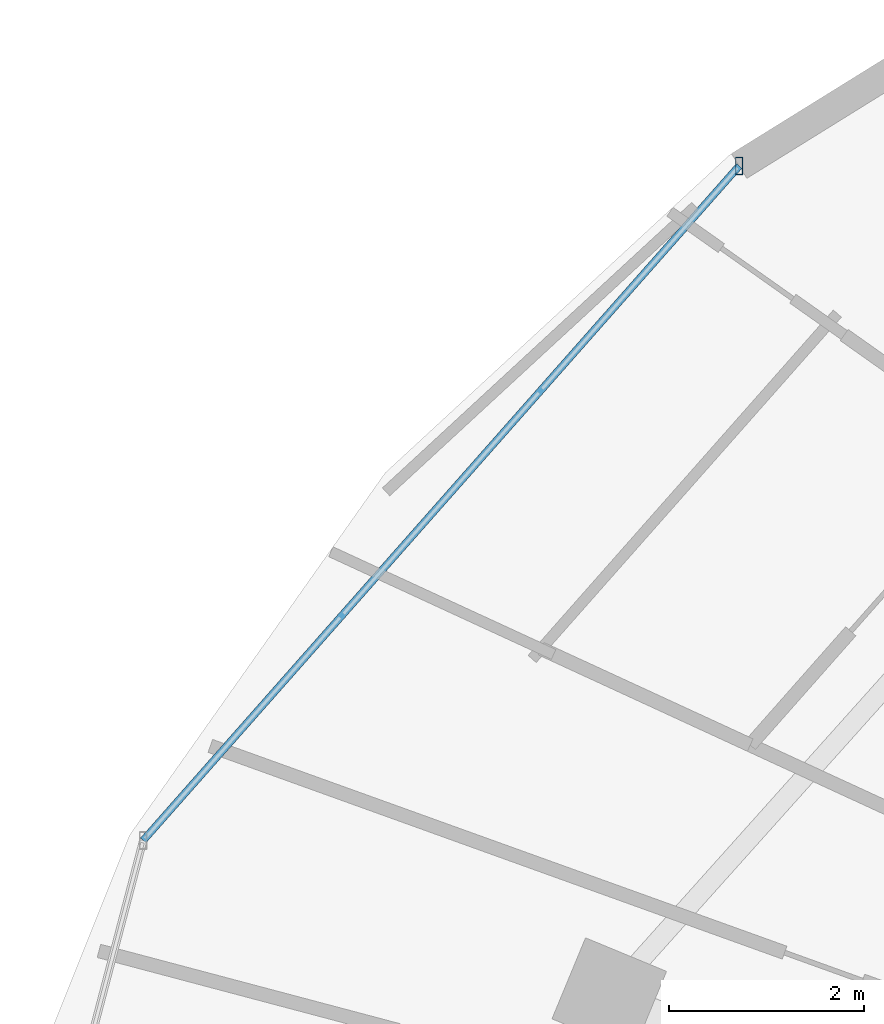
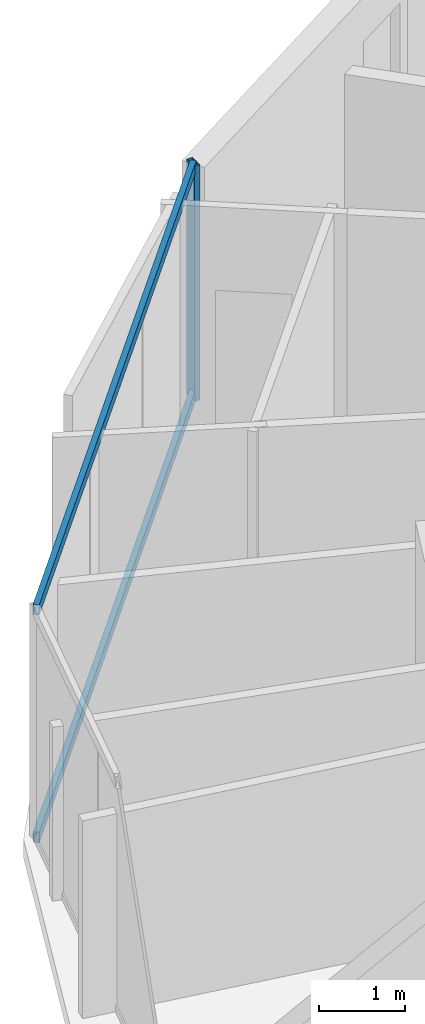
# One storey, part 16 of 32: 3 members, 1 element without a shape of its own.
"""IFC4 building model written with IfcOpenShell, lengths in metres."""

from ifc_helpers import new_model, si_unit, direction, frame, origin, origin_2d, place, context, subcontext, project, spatial, hollow_rectangle, extrude, material, material_profile, profile_set, type_object, element, aggregate, save


model = new_model("IFC4")

# Units and contexts
model_context = context("Model", 3, precision=1e-05, world=origin(), true_north=direction((0.0, 1.0)))
body_context = subcontext(model_context, "Body", "Model", "MODEL_VIEW")
ifc_project = project(units=[si_unit("LENGTHUNIT", "METRE"), si_unit("AREAUNIT", "SQUARE_METRE"), si_unit("VOLUMEUNIT", "CUBIC_METRE"), si_unit("PLANEANGLEUNIT", "RADIAN"), si_unit("MASSUNIT", "GRAM", prefix="KILO")], contexts=[model_context])

# Site, building, storey
site_placement = place(None, origin())
site = spatial("IfcSite", under=ifc_project, at=site_placement, CompositionType="ELEMENT")
building_placement = place(site_placement, origin())
building = spatial("IfcBuilding", under=site, at=building_placement, Name="Vorneva Point Tower", CompositionType="ELEMENT")
storey_placement = place(building_placement, frame((0.0, 0.0, 207.199951171875)))
storey = spatial("IfcBuildingStorey", under=building, at=storey_placement, Name="L56", CompositionType="ELEMENT", Elevation=207.199951171875)

# Curtain wall, members
ifc_material = material(Name="Pale anodised aluminium", Category="aluminium")
curtain_wall_type = type_object("IfcCurtainWallType", Name="CW-RES-SYS", PredefinedType="NOTDEFINED", material=ifc_material)
curtain_wall_placement = place(storey_placement, origin())
curtain_wall = element("IfcCurtainWall", 1, at=curtain_wall_placement, inside=storey, type_object=curtain_wall_type, Name="L56 Unitised Curtain Wall CW-L56-R02", PredefinedType="NOTDEFINED")
ifc_material_profile_1 = material_profile(ifc_material, hollow_rectangle(XDim=0.074951171875, YDim=0.179931640625, WallThickness=0.00390625, at=origin_2d()), Name="AL-MUL 180x75x4")
ifc_profile_set_1 = profile_set([ifc_material_profile_1], Name="Pale anodised aluminium")
member_type_1 = type_object("IfcMemberType", Name="CW-MUL-180", PredefinedType="MULLION", material=ifc_profile_set_1)
member_1_placement = place(storey_placement, frame((18.038330078125, 41.0966796875, -0.0400390625), z_axis=(0.0, 0.0, 1.0), x_axis=(1.0, 0.0, 0.0)))
member_1 = element("IfcMember", 2, at=member_1_placement, type_object=member_type_1, Name="CW-L56-R02 Mullion 01", PredefinedType="MULLION", context=body_context, shape_type="SweptSolid", body=[
    extrude(hollow_rectangle(XDim=0.074951171875, YDim=0.179931640625, WallThickness=0.00390625, at=origin_2d()), origin(), (0.0, 0.0, 1.0), 3.360107421875),
])
ifc_material_profile_2 = material_profile(ifc_material, hollow_rectangle(XDim=0.074951171875, YDim=0.14990234375, WallThickness=0.00390625, at=origin_2d()), Name="AL-TRN 150x75x4")
ifc_profile_set_2 = profile_set([ifc_material_profile_2], Name="Pale anodised aluminium")
member_type_2 = type_object("IfcMemberType", Name="CW-TRN-150", PredefinedType="USERDEFINED", material=ifc_profile_set_2)
member_2_placement = place(storey_placement, frame((18.038330078125, 41.0966796875, 0.02001953125), z_axis=(-0.662106383869, -0.749409858782, 0.0), x_axis=(0.749409858782, -0.662106383869, 0.0)))
member_2 = element("IfcMember", 3, at=member_2_placement, type_object=member_type_2, Name="CW-L56-R02 Transom 01.1", ObjectType="TRANSOM", PredefinedType="USERDEFINED", context=body_context, shape_type="SweptSolid", body=[
    extrude(hollow_rectangle(XDim=0.074951171875, YDim=0.14990234375, WallThickness=0.00390625, at=origin_2d()), origin(), (0.0, 0.0, 1.0), 9.2421875),
])
member_3_placement = place(storey_placement, frame((18.038330078125, 41.0966796875, 3.27001953125), z_axis=(-0.662106383869, -0.749409858782, 0.0), x_axis=(0.749409858782, -0.662106383869, 0.0)))
member_3 = element("IfcMember", 4, at=member_3_placement, type_object=member_type_2, Name="CW-L56-R02 Transom 01.2", ObjectType="TRANSOM", PredefinedType="USERDEFINED", context=body_context, shape_type="SweptSolid", body=[
    extrude(hollow_rectangle(XDim=0.074951171875, YDim=0.14990234375, WallThickness=0.00390625, at=origin_2d()), origin(), (0.0, 0.0, 1.0), 9.2421875),
])
aggregate(curtain_wall, [member_1, member_2, member_3])

save(model, "model.ifc")
